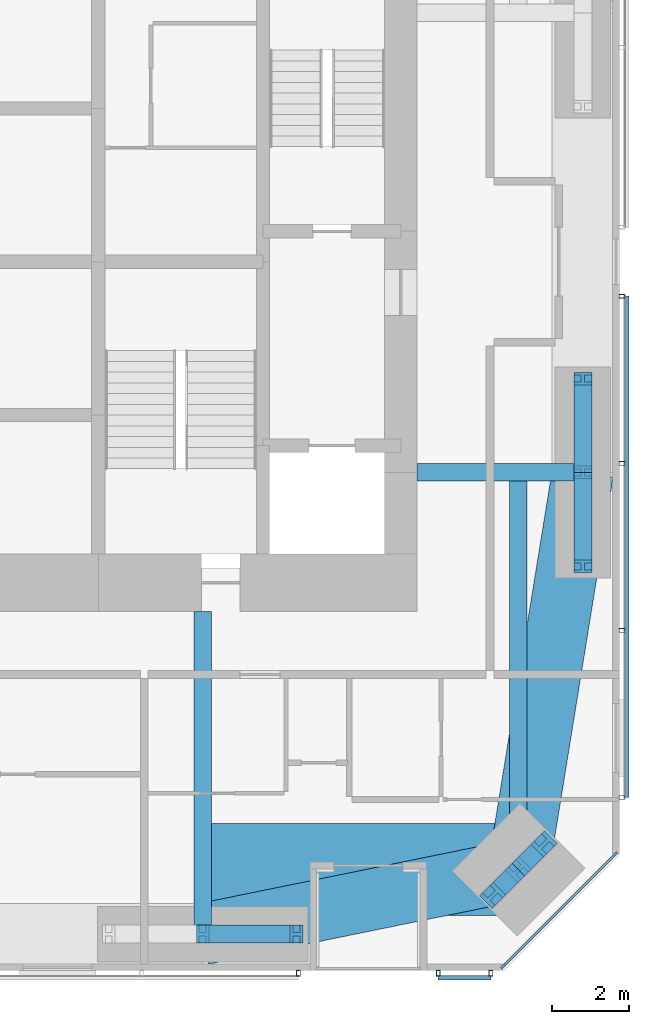
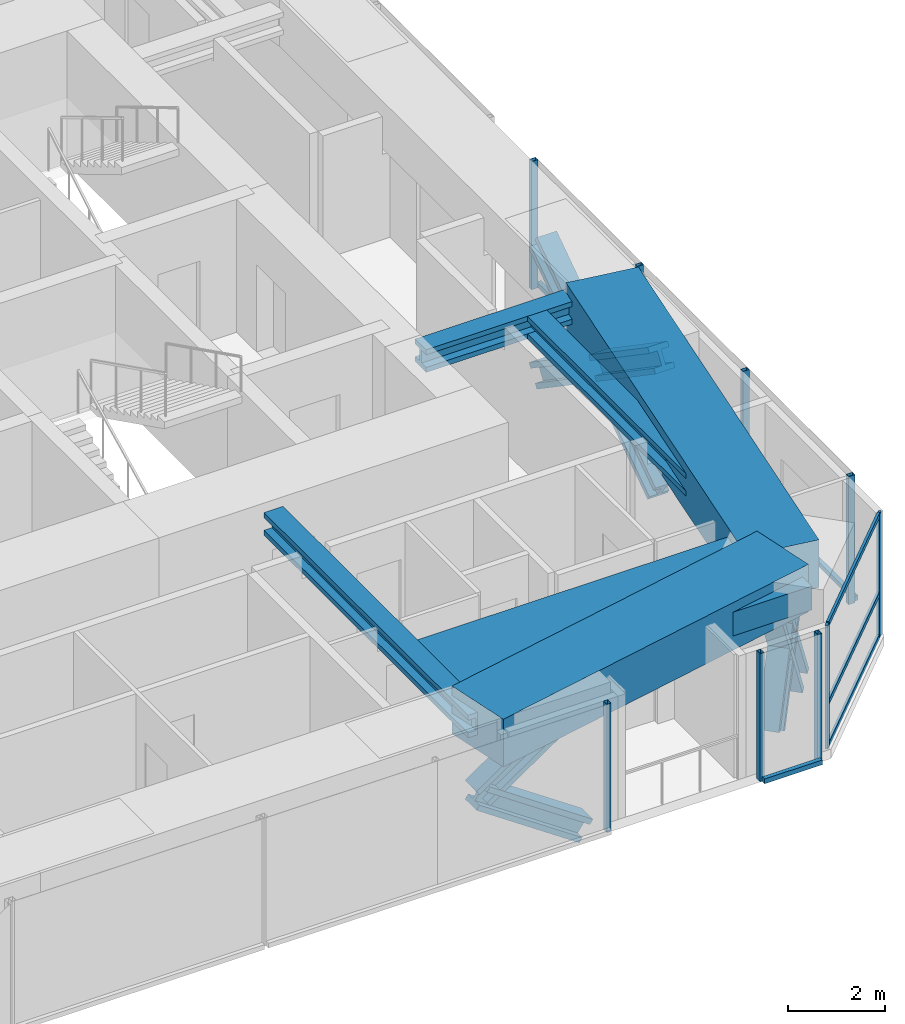
# One storey, part 8 of 23: 24 members, 6 beams, 4 elements without a shape of their own.
"""IFC4 building model written with IfcOpenShell, lengths in metres."""

from ifc_helpers import new_model, si_unit, direction, frame, origin, origin_2d, place, context, subcontext, project, spatial, rectangle, hollow_rectangle, i_section, extrude, material, material_profile, profile_set, type_object, element, aggregate, save


model = new_model("IFC4")

# Units and contexts
model_context = context("Model", 3, precision=1e-05, world=origin(), true_north=direction((0.0, 1.0)))
body_context = subcontext(model_context, "Body", "Model", "MODEL_VIEW")
ifc_project = project(units=[si_unit("LENGTHUNIT", "METRE"), si_unit("AREAUNIT", "SQUARE_METRE"), si_unit("VOLUMEUNIT", "CUBIC_METRE"), si_unit("PLANEANGLEUNIT", "RADIAN"), si_unit("MASSUNIT", "GRAM", prefix="KILO")], contexts=[model_context])

# Site, building, storey
site_placement = place(None, origin())
site = spatial("IfcSite", under=ifc_project, at=site_placement, CompositionType="ELEMENT")
building_placement = place(site_placement, origin())
building = spatial("IfcBuilding", under=site, at=building_placement, Name="Jalousie Tower", CompositionType="ELEMENT")
storey_placement = place(building_placement, frame((0.0, 0.0, 114.89990234375)))
storey = spatial("IfcBuildingStorey", under=building, at=storey_placement, Name="L31", CompositionType="ELEMENT", Elevation=114.89990234375)

# Curtain wall, members
ifc_material_1 = material(Name="Aluminium curtain wall", Category="aluminium")
curtain_wall_type_1 = type_object("IfcCurtainWallType", Name="CORNER WINDOW WALL", PredefinedType="USERDEFINED", material=ifc_material_1)
curtain_wall_1_placement = place(storey_placement, origin())
curtain_wall_1 = element("IfcCurtainWall", 1, at=curtain_wall_1_placement, inside=storey, type_object=curtain_wall_type_1, Name="Corner Window Wall L31 2", ObjectType="CORNER WINDOW WALL", PredefinedType="USERDEFINED")
ifc_material_2 = material(Name="Aluminium mullion", Category="aluminium")
ifc_material_profile_1 = material_profile(ifc_material_2, rectangle(XDim=0.06005859375, YDim=0.14990234375, at=origin_2d()), Name="MULLION 60x150")
ifc_profile_set_1 = profile_set([ifc_material_profile_1], Name="Aluminium mullion")
member_type_1 = type_object("IfcMemberType", Name="CORNER WINDOW WALL MULLION", PredefinedType="MULLION", material=ifc_profile_set_1)
member_1_placement = place(storey_placement, frame((46.469970703125, 0.108642578125, 0.0), z_axis=(0.0, 0.0, 1.0), x_axis=(-0.707106781187, 0.707106781187, 0.0)))
member_1 = element("IfcMember", 2, at=member_1_placement, type_object=member_type_1, Name="CW-C mullion 1", PredefinedType="MULLION", context=body_context, shape_type="SweptSolid", body=[
    extrude(rectangle(XDim=0.06005859375, YDim=0.14990234375, at=origin_2d()), origin(), (0.0, 0.0, 1.0), 3.110107421875),
])
member_2_placement = place(storey_placement, frame((49.391357421875, 3.030029296875, 0.0), z_axis=(0.0, 0.0, 1.0), x_axis=(-0.707106781187, 0.707106781187, 0.0)))
member_2 = element("IfcMember", 3, at=member_2_placement, type_object=member_type_1, Name="CW-C mullion 2", PredefinedType="MULLION", context=body_context, shape_type="SweptSolid", body=[
    extrude(rectangle(XDim=0.06005859375, YDim=0.14990234375, at=origin_2d()), origin(), (0.0, 0.0, 1.0), 3.110107421875),
])
ifc_material_3 = material(Name="Aluminium transom", Category="aluminium")
ifc_material_profile_2 = material_profile(ifc_material_3, rectangle(XDim=0.06005859375, YDim=0.1201171875, at=origin_2d()), Name="TRANSOM 60x120")
ifc_profile_set_2 = profile_set([ifc_material_profile_2], Name="Aluminium transom")
member_type_2 = type_object("IfcMemberType", Name="CORNER WINDOW WALL TRANSOM", PredefinedType="USERDEFINED", material=ifc_profile_set_2)
member_3_placement = place(storey_placement, frame((46.4912109375, 0.1298828125, 0.030029296875), z_axis=(0.707106781187, 0.707106781187, 0.0), x_axis=(-0.707106781187, 0.707106781187, 0.0)))
member_3 = element("IfcMember", 4, at=member_3_placement, type_object=member_type_2, Name="CW-C transom 1.1", ObjectType="TRANSOM", PredefinedType="USERDEFINED", context=body_context, shape_type="SweptSolid", body=[
    extrude(rectangle(XDim=0.06005859375, YDim=0.1201171875, at=origin_2d()), origin(), (0.0, 0.0, 1.0), 4.0712890625),
])
member_4_placement = place(storey_placement, frame((46.4912109375, 0.1298828125, 1.10009765625), z_axis=(0.707106781187, 0.707106781187, 0.0), x_axis=(-0.707106781187, 0.707106781187, 0.0)))
member_4 = element("IfcMember", 5, at=member_4_placement, type_object=member_type_2, Name="CW-C transom 1.2", ObjectType="TRANSOM", PredefinedType="USERDEFINED", context=body_context, shape_type="SweptSolid", body=[
    extrude(rectangle(XDim=0.06005859375, YDim=0.1201171875, at=origin_2d()), origin(), (0.0, 0.0, 1.0), 4.0712890625),
])
member_5_placement = place(storey_placement, frame((46.4912109375, 0.1298828125, 3.080078125), z_axis=(0.707106781187, 0.707106781187, 0.0), x_axis=(-0.707106781187, 0.707106781187, 0.0)))
member_5 = element("IfcMember", 6, at=member_5_placement, type_object=member_type_2, Name="CW-C transom 1.3", ObjectType="TRANSOM", PredefinedType="USERDEFINED", context=body_context, shape_type="SweptSolid", body=[
    extrude(rectangle(XDim=0.06005859375, YDim=0.1201171875, at=origin_2d()), origin(), (0.0, 0.0, 1.0), 4.0712890625),
])
aggregate(curtain_wall_1, [member_1, member_2, member_3, member_4, member_5])

# Beams
ifc_material_4 = material(Name="Steel ASTM A992 Grade 50", Category="steel")
ifc_material_profile_3 = material_profile(ifc_material_4, i_section(OverallWidth=0.45458984375, OverallDepth=0.569091796875, WebThickness=0.077880859375, FlangeThickness=0.124755859375, at=origin_2d()), Name="W14X730")
ifc_profile_set_3 = profile_set([ifc_material_profile_3], Name="Steel ASTM A992 Grade 50")
beam_type_1 = type_object("IfcBeamType", Name="LEAN COLLECTOR W14X730", PredefinedType="BEAM", material=ifc_profile_set_3)
beam_1_placement = place(storey_placement, frame((38.625, 0.949951171875, 2.82568359375), z_axis=(0.0, 1.0, 0.0), x_axis=(-1.0, 0.0, 0.0)))
element("IfcBeam", 7, at=beam_1_placement, inside=storey, type_object=beam_type_1, Name="Lean collector under L32", PredefinedType="BEAM", context=body_context, shape_type="SweptSolid", body=[
    extrude(i_section(OverallWidth=0.45458984375, OverallDepth=0.569091796875, WebThickness=0.077880859375, FlangeThickness=0.124755859375, at=origin_2d()), origin(), (0.0, 0.0, 1.0), 8.425048828125),
])
beam_2_placement = place(storey_placement, frame((48.550048828125, 13.0, 2.82568359375), z_axis=(-1.0, 0.0, 0.0), x_axis=(0.0, -1.0, 0.0)))
element("IfcBeam", 8, at=beam_2_placement, inside=storey, type_object=beam_type_1, Name="Lean collector under L32", PredefinedType="BEAM", context=body_context, shape_type="SweptSolid", body=[
    extrude(i_section(OverallWidth=0.45458984375, OverallDepth=0.569091796875, WebThickness=0.077880859375, FlangeThickness=0.124755859375, at=origin_2d()), origin(), (0.0, 0.0, 1.0), 4.324951171875),
])
beam_3_placement = place(storey_placement, frame((46.86865234375, 2.63134765625, 2.82568359375), z_axis=(0.0, 1.0, 0.0), x_axis=(-1.0, 0.0, 0.0)))
element("IfcBeam", 9, at=beam_3_placement, inside=storey, type_object=beam_type_1, Name="Lean collector under L32", PredefinedType="BEAM", context=body_context, shape_type="SweptSolid", body=[
    extrude(i_section(OverallWidth=0.45458984375, OverallDepth=0.569091796875, WebThickness=0.077880859375, FlangeThickness=0.124755859375, at=origin_2d()), origin(), (0.0, 0.0, 1.0), 10.36865234375),
])

# Members
ifc_material_5 = material(Name="Steel ASTM A992 Grade 50", Category="steel")
ifc_material_profile_4 = material_profile(ifc_material_5, i_section(OverallWidth=0.472412109375, OverallDepth=0.5791015625, WebThickness=0.094970703125, FlangeThickness=0.1298828125, at=origin_2d()), Name="W14X808")
ifc_profile_set_4 = profile_set([ifc_material_profile_4], Name="Steel ASTM A992 Grade 50")
member_type_3 = type_object("IfcMemberType", Name="PERIMETER BRACE W14X808", PredefinedType="BRACE", material=ifc_profile_set_4)
for number, where, z_axis, x_axis, name in (
    (10, (38.625, 0.949951171875, 1.0751953125), (0.825539243753, 0.0, 0.564344714713), (0.0, 1.0, 0.0), "Perimeter brace 04 L31 part 2"),
    (11, (41.074951171875, 0.949951171875, -0.599853515625), (-0.825500916831, 0.0, 0.564400776321), (0.0, -1.0, 0.0), "Perimeter brace 04 L31 part 3"),
):
    element("IfcMember", number, at=place(storey_placement, frame(where, z_axis=z_axis, x_axis=x_axis)), inside=storey, type_object=member_type_3, Name=name, PredefinedType="BRACE", context=body_context, shape_type="SweptSolid", body=[
        extrude(i_section(OverallWidth=0.472412109375, OverallDepth=0.5791015625, WebThickness=0.094970703125, FlangeThickness=0.1298828125, at=origin_2d()), origin(), (0.0, 0.0, 1.0), 2.9677734375),
    ])
member_6_placement = place(storey_placement, frame((46.197021484375, 1.959716796875, -0.599853515625), z_axis=(0.348789058631, 0.348789058631, 0.869880672943), x_axis=(-0.707106781187, 0.707106781187, 0.0)))
element("IfcMember", 12, at=member_6_placement, inside=storey, type_object=member_type_3, Name="Perimeter brace 05 L31 part 1", PredefinedType="BRACE", context=body_context, shape_type="SweptSolid", body=[
    extrude(i_section(OverallWidth=0.472412109375, OverallDepth=0.5791015625, WebThickness=0.094970703125, FlangeThickness=0.1298828125, at=origin_2d()), origin(), (0.0, 0.0, 1.0), 1.925537109375),
])
member_7_placement = place(storey_placement, frame((46.86865234375, 2.63134765625, 1.0751953125), z_axis=(0.348827529765, 0.348827529765, 0.869849819771), x_axis=(-0.707106781187, 0.707106781187, 0.0)))
element("IfcMember", 13, at=member_7_placement, inside=storey, type_object=member_type_3, Name="Perimeter brace 05 L31 part 2", PredefinedType="BRACE", context=body_context, shape_type="SweptSolid", body=[
    extrude(i_section(OverallWidth=0.472412109375, OverallDepth=0.5791015625, WebThickness=0.094970703125, FlangeThickness=0.1298828125, at=origin_2d()), origin(), (0.0, 0.0, 1.0), 1.92529296875),
])
member_8_placement = place(storey_placement, frame((47.540283203125, 3.302978515625, -0.599853515625), z_axis=(-0.348789058631, -0.348789058631, 0.869880672943), x_axis=(0.707106781187, -0.707106781187, 0.0)))
element("IfcMember", 14, at=member_8_placement, inside=storey, type_object=member_type_3, Name="Perimeter brace 05 L31 part 3", PredefinedType="BRACE", context=body_context, shape_type="SweptSolid", body=[
    extrude(i_section(OverallWidth=0.472412109375, OverallDepth=0.5791015625, WebThickness=0.094970703125, FlangeThickness=0.1298828125, at=origin_2d()), origin(), (0.0, 0.0, 1.0), 1.925537109375),
])
member_9_placement = place(storey_placement, frame((46.86865234375, 2.63134765625, 1.0751953125), z_axis=(-0.348827529765, -0.348827529765, 0.869849819771), x_axis=(0.707106781187, -0.707106781187, 0.0)))
element("IfcMember", 15, at=member_9_placement, inside=storey, type_object=member_type_3, Name="Perimeter brace 05 L31 part 4", PredefinedType="BRACE", context=body_context, shape_type="SweptSolid", body=[
    extrude(i_section(OverallWidth=0.472412109375, OverallDepth=0.5791015625, WebThickness=0.094970703125, FlangeThickness=0.1298828125, at=origin_2d()), origin(), (0.0, 0.0, 1.0), 1.92529296875),
])
for number, where, z_axis, x_axis, name in (
    (16, (48.550048828125, 10.550048828125, -0.599853515625), (0.0, 0.825500916831, 0.564400776321), (-1.0, 0.0, 0.0), "Perimeter brace 06 L31 part 1"),
    (17, (48.550048828125, 13.0, 1.0751953125), (0.0, 0.825539243753, 0.564344714713), (-1.0, 0.0, 0.0), "Perimeter brace 06 L31 part 2"),
    (18, (48.550048828125, 15.449951171875, -0.599853515625), (0.0, -0.825500916831, 0.564400776321), (1.0, 0.0, 0.0), "Perimeter brace 06 L31 part 3"),
    (19, (48.550048828125, 13.0, 1.0751953125), (0.0, -0.825539243753, 0.564344714713), (1.0, 0.0, 0.0), "Perimeter brace 06 L31 part 4"),
):
    element("IfcMember", number, at=place(storey_placement, frame(where, z_axis=z_axis, x_axis=x_axis)), inside=storey, type_object=member_type_3, Name=name, PredefinedType="BRACE", context=body_context, shape_type="SweptSolid", body=[
        extrude(i_section(OverallWidth=0.472412109375, OverallDepth=0.5791015625, WebThickness=0.094970703125, FlangeThickness=0.1298828125, at=origin_2d()), origin(), (0.0, 0.0, 1.0), 2.9677734375),
    ])

# Beams
ifc_material_6 = material(Name="Concrete f'c 40 MPa", Category="concrete")
ifc_material_profile_5 = material_profile(ifc_material_6, rectangle(XDim=1.60009765625, YDim=1.199951171875, at=origin_2d()), Name="RC 1600x1200")
ifc_profile_set_5 = profile_set([ifc_material_profile_5], Name="Concrete f'c 40 MPa")
beam_type_2 = type_object("IfcBeamType", Name="RC BEAM 1600x1200", PredefinedType="BEAM", material=ifc_profile_set_5)
beam_4_placement = place(storey_placement, frame((38.625, 0.949951171875, 2.75), z_axis=(0.97982690954, 0.199848010602, 0.0), x_axis=(-0.199848010602, 0.97982690954, 0.0)))
element("IfcBeam", 20, at=beam_4_placement, inside=storey, type_object=beam_type_2, Name="Edge band beam 04-05 under L32", PredefinedType="BEAM", context=body_context, shape_type="SweptSolid", body=[
    extrude(rectangle(XDim=1.60009765625, YDim=1.199951171875, at=origin_2d()), origin(), (0.0, 0.0, 1.0), 8.413330078125),
])
beam_5_placement = place(storey_placement, frame((46.86865234375, 2.63134765625, 2.75), z_axis=(0.160070546476, 0.987105577003, 0.0), x_axis=(-0.987105577003, 0.160070546476, 0.0)))
element("IfcBeam", 21, at=beam_5_placement, inside=storey, type_object=beam_type_2, Name="Edge band beam 05-06 under L32", PredefinedType="BEAM", context=body_context, shape_type="SweptSolid", body=[
    extrude(rectangle(XDim=1.60009765625, YDim=1.199951171875, at=origin_2d()), origin(), (0.0, 0.0, 1.0), 10.504150390625),
])
ifc_material_7 = material(Name="Concrete f'c 40 MPa", Category="concrete")
ifc_material_profile_6 = material_profile(ifc_material_7, rectangle(XDim=2.39990234375, YDim=0.60009765625, at=origin_2d()), Name="RC 2400x600")
ifc_profile_set_6 = profile_set([ifc_material_profile_6], Name="Concrete f'c 40 MPa")
beam_type_3 = type_object("IfcBeamType", Name="RC BEAM 2400x600", PredefinedType="BEAM", material=ifc_profile_set_6)
beam_6_placement = place(storey_placement, frame((46.86865234375, 2.63134765625, 2.81005859375), z_axis=(-1.0, 0.0, 0.0), x_axis=(0.0, -1.0, 0.0)))
element("IfcBeam", 22, at=beam_6_placement, inside=storey, type_object=beam_type_3, Name="Floor band beam under L32", PredefinedType="BEAM", context=body_context, shape_type="SweptSolid", body=[
    extrude(rectangle(XDim=2.39990234375, YDim=0.60009765625, at=origin_2d()), origin(), (0.0, 0.0, 1.0), 8.24365234375),
])

# Curtain wall, member
ifc_material_8 = material(Name="Perforated aluminium sheet", Category="aluminium")
curtain_wall_type_2 = type_object("IfcCurtainWallType", Name="SOLAR SCREEN SS-1", PredefinedType="USERDEFINED", material=ifc_material_8)
curtain_wall_2_placement = place(storey_placement, origin())
curtain_wall_2 = element("IfcCurtainWall", 23, at=curtain_wall_2_placement, inside=storey, type_object=curtain_wall_type_2, Name="Solar screen L31", ObjectType="SOLAR SCREEN SS-1", PredefinedType="USERDEFINED")
ifc_material_9 = material(Name="Steel ASTM A500 Grade C", Category="steel")
ifc_material_profile_7 = material_profile(ifc_material_9, hollow_rectangle(XDim=0.1015625, YDim=0.15234375, WallThickness=0.00634765625, at=origin_2d()), Name="HSS6X4X1/4")
ifc_profile_set_7 = profile_set([ifc_material_profile_7], Name="Steel ASTM A500 Grade C")
member_type_4 = type_object("IfcMemberType", Name="SOLAR SCREEN SS-1 MULLION", PredefinedType="MULLION", material=ifc_profile_set_7)
member_10_placement = place(storey_placement, frame((41.125, -0.0712890625, -0.119873046875), z_axis=(0.0, 0.0, 1.0), x_axis=(1.0, 0.0, 0.0)))
member_10 = element("IfcMember", 24, at=member_10_placement, type_object=member_type_4, Name="SS1 post 3", PredefinedType="MULLION", context=body_context, shape_type="SweptSolid", body=[
    extrude(hollow_rectangle(XDim=0.1015625, YDim=0.15234375, WallThickness=0.00634765625, at=origin_2d()), origin(), (0.0, 0.0, 1.0), 3.22998046875),
])
aggregate(curtain_wall_2, [member_10])

# Curtain wall, members
curtain_wall_3_placement = place(storey_placement, origin())
curtain_wall_3 = element("IfcCurtainWall", 25, at=curtain_wall_3_placement, inside=storey, type_object=curtain_wall_type_2, Name="Solar screen L31", ObjectType="SOLAR SCREEN SS-1", PredefinedType="USERDEFINED")
member_11_placement = place(storey_placement, frame((44.77490234375, -0.0712890625, -0.119873046875), z_axis=(0.0, 0.0, 1.0), x_axis=(1.0, 0.0, 0.0)))
member_11 = element("IfcMember", 26, at=member_11_placement, type_object=member_type_4, Name="SS1 post 1", PredefinedType="MULLION", context=body_context, shape_type="SweptSolid", body=[
    extrude(hollow_rectangle(XDim=0.1015625, YDim=0.15234375, WallThickness=0.00634765625, at=origin_2d()), origin(), (0.0, 0.0, 1.0), 3.22998046875),
])
member_12_placement = place(storey_placement, frame((46.148681640625, -0.0712890625, -0.119873046875), z_axis=(0.0, 0.0, 1.0), x_axis=(1.0, 0.0, 0.0)))
member_12 = element("IfcMember", 27, at=member_12_placement, type_object=member_type_4, Name="SS1 post 2", PredefinedType="MULLION", context=body_context, shape_type="SweptSolid", body=[
    extrude(hollow_rectangle(XDim=0.1015625, YDim=0.15234375, WallThickness=0.00634765625, at=origin_2d()), origin(), (0.0, 0.0, 1.0), 3.22998046875),
])

curtain_wall_4_placement = place(storey_placement, origin())
curtain_wall_4 = element("IfcCurtainWall", 28, at=curtain_wall_4_placement, inside=storey, type_object=curtain_wall_type_2, Name="Solar screen L31", ObjectType="SOLAR SCREEN SS-1", PredefinedType="USERDEFINED")
member_13_placement = place(storey_placement, frame((49.5712890625, 4.513916015625, -0.119873046875), z_axis=(0.0, 0.0, 1.0), x_axis=(0.0, 1.0, 0.0)))
member_13 = element("IfcMember", 29, at=member_13_placement, type_object=member_type_4, Name="SS1 post 1", PredefinedType="MULLION", context=body_context, shape_type="SweptSolid", body=[
    extrude(hollow_rectangle(XDim=0.1015625, YDim=0.15234375, WallThickness=0.00634765625, at=origin_2d()), origin(), (0.0, 0.0, 1.0), 3.22998046875),
])
member_14_placement = place(storey_placement, frame((49.5712890625, 8.8759765625, -0.119873046875), z_axis=(0.0, 0.0, 1.0), x_axis=(0.0, 1.0, 0.0)))
member_14 = element("IfcMember", 30, at=member_14_placement, type_object=member_type_4, Name="SS1 post 2", PredefinedType="MULLION", context=body_context, shape_type="SweptSolid", body=[
    extrude(hollow_rectangle(XDim=0.1015625, YDim=0.15234375, WallThickness=0.00634765625, at=origin_2d()), origin(), (0.0, 0.0, 1.0), 3.22998046875),
])
member_15_placement = place(storey_placement, frame((49.5712890625, 13.23779296875, -0.119873046875), z_axis=(0.0, 0.0, 1.0), x_axis=(0.0, 1.0, 0.0)))
member_15 = element("IfcMember", 31, at=member_15_placement, type_object=member_type_4, Name="SS1 post 3", PredefinedType="MULLION", context=body_context, shape_type="SweptSolid", body=[
    extrude(hollow_rectangle(XDim=0.1015625, YDim=0.15234375, WallThickness=0.00634765625, at=origin_2d()), origin(), (0.0, 0.0, 1.0), 3.22998046875),
])
member_16_placement = place(storey_placement, frame((49.5712890625, 17.60009765625, -0.119873046875), z_axis=(0.0, 0.0, 1.0), x_axis=(0.0, 1.0, 0.0)))
member_16 = element("IfcMember", 32, at=member_16_placement, type_object=member_type_4, Name="SS1 post 4", PredefinedType="MULLION", context=body_context, shape_type="SweptSolid", body=[
    extrude(hollow_rectangle(XDim=0.1015625, YDim=0.15234375, WallThickness=0.00634765625, at=origin_2d()), origin(), (0.0, 0.0, 1.0), 3.22998046875),
])

# Member
ifc_material_10 = material(Name="Extruded aluminium screen rail", Category="aluminium")
ifc_material_profile_8 = material_profile(ifc_material_10, rectangle(XDim=0.1015625, YDim=0.1201171875, at=origin_2d()), Name="RAIL 102x120")
ifc_profile_set_8 = profile_set([ifc_material_profile_8], Name="Extruded aluminium screen rail")
member_type_5 = type_object("IfcMemberType", Name="SOLAR SCREEN SS-1 TRANSOM", PredefinedType="USERDEFINED", material=ifc_profile_set_8)
member_17_placement = place(storey_placement, frame((44.77490234375, -0.1982421875, -0.059814453125), z_axis=(1.0, 0.0, 0.0), x_axis=(0.0, 1.0, 0.0)))
member_17 = element("IfcMember", 33, at=member_17_placement, type_object=member_type_5, Name="SS1 rail", ObjectType="TRANSOM", PredefinedType="USERDEFINED", context=body_context, shape_type="SweptSolid", body=[
    extrude(rectangle(XDim=0.1015625, YDim=0.1201171875, at=origin_2d()), origin(), (0.0, 0.0, 1.0), 1.373779296875),
])

aggregate(curtain_wall_3, [member_11, member_12, member_17])

member_18_placement = place(storey_placement, frame((49.6982421875, 4.513916015625, -0.059814453125), z_axis=(0.0, 1.0, 0.0), x_axis=(-1.0, 0.0, 0.0)))
member_18 = element("IfcMember", 34, at=member_18_placement, type_object=member_type_5, Name="SS1 rail", ObjectType="TRANSOM", PredefinedType="USERDEFINED", context=body_context, shape_type="SweptSolid", body=[
    extrude(rectangle(XDim=0.1015625, YDim=0.1201171875, at=origin_2d()), origin(), (0.0, 0.0, 1.0), 13.086181640625),
])

aggregate(curtain_wall_4, [member_13, member_14, member_15, member_16, member_18])

save(model, "model.ifc")
